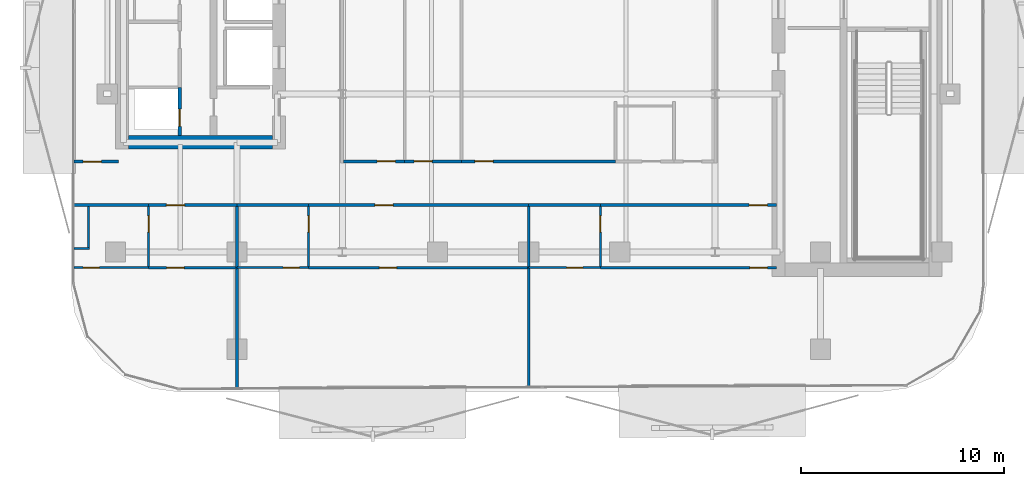
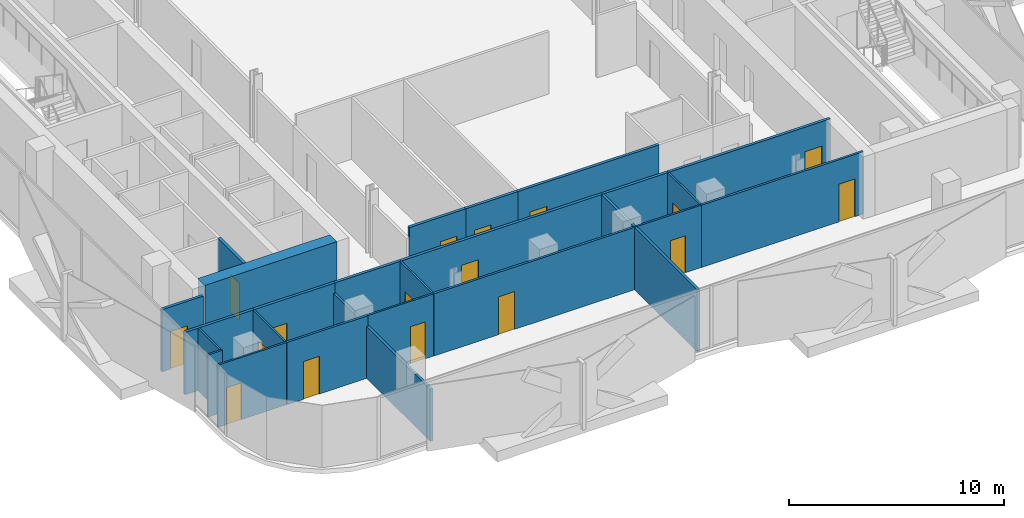
# One storey, part 3 of 17: 27 walls, 17 doors, 17 openings.
"""IFC4 building model written with IfcOpenShell, lengths in metres."""

from ifc_helpers import new_model, si_unit, direction, frame, frame_2d, origin, place, context, subcontext, project, spatial, rectangle, extrude, material, layer, layer_set, type_object, element, fill, save


model = new_model("IFC4")

# Units and contexts
model_context = context("Model", 3, precision=1e-05, world=origin(), true_north=direction((0.0, 1.0)))
body_context = subcontext(model_context, "Body", "Model", "MODEL_VIEW")
ifc_project = project(units=[si_unit("LENGTHUNIT", "METRE"), si_unit("AREAUNIT", "SQUARE_METRE"), si_unit("VOLUMEUNIT", "CUBIC_METRE"), si_unit("PLANEANGLEUNIT", "RADIAN"), si_unit("MASSUNIT", "GRAM", prefix="KILO")], contexts=[model_context])

# Site, building, storey
site_placement = place(None, origin())
site = spatial("IfcSite", under=ifc_project, at=site_placement, CompositionType="ELEMENT")
building_placement = place(site_placement, origin())
building = spatial("IfcBuilding", under=site, at=building_placement, Name="Khairoan Windgate Tower", CompositionType="ELEMENT")
storey_placement = place(building_placement, frame((0.0, 0.0, 165.0)))
storey = spatial("IfcBuildingStorey", under=building, at=storey_placement, Name="L37", CompositionType="ELEMENT", Elevation=165.0)

# Wall, opening, door
ifc_material_1 = material(Name="Moisture-Resistant Gypsum Partition", Category="gypsum")
ifc_layer_1 = layer(ifc_material_1, 0.10009765625, Name="Moisture-Resistant Gypsum Partition")
ifc_layer_set_1 = layer_set([ifc_layer_1], Name="Moisture-Resistant Gypsum Partition")
wall_type_1 = type_object("IfcWallType", Name="Bathroom Wet-Area Partition Wall", PredefinedType="PARTITIONING", material=ifc_layer_set_1)
wall_1_placement = place(storey_placement, frame((-18.763916015625, -19.320068359375, 0.0), z_axis=(0.0, 0.0, 1.0), x_axis=(0.0, 1.0, 0.0)))
wall_1 = element("IfcWall", 1, at=wall_1_placement, inside=storey, type_object=wall_type_1, Name="L37 Interior Partition 073", PredefinedType="PARTITIONING", context=body_context, shape_type="SweptSolid", body=[
    extrude(rectangle(XDim=2.965087890625, YDim=0.10009765625, at=frame_2d((1.482421875, 0.0))), origin(), (0.0, 0.0, 1.0), 3.5400390625),
])
opening_1_placement = place(wall_1_placement, frame((1.705078125, 0.0, 0.0)))
opening_1 = element("IfcOpeningElement", 2, at=opening_1_placement, cuts=wall_1, Name="Opening ID-BTH", PredefinedType="OPENING", context=body_context, shape_type="SweptSolid", body=[
    extrude(rectangle(XDim=0.800048828125, YDim=2.10009765625, at=frame_2d((0.39990234375, 1.050048828125))), frame((0.0, 0.06005859375, 0.0), z_axis=(0.0, -1.0, 0.0), x_axis=(1.0, 0.0, 0.0)), (0.0, 0.0, 1.0), 0.1201171875),
])
ifc_material_2 = material(Name="Teak Veneer Timber Leaf", Category="wood")
door_type_1 = type_object("IfcDoorType", Name="Internal Bathroom Door ID-BTH 800x2100", OperationType="NOTDEFINED", PredefinedType="DOOR", material=ifc_material_2)
door_1_placement = place(opening_1_placement, origin())
door_1 = element("IfcDoor", 3, at=door_1_placement, inside=storey, type_object=door_type_1, Name="L37 L37-53-L37-54 Door", OperationType="SINGLE_SWING_LEFT", OverallHeight=2.10009765625, OverallWidth=0.800048828125, PredefinedType="DOOR", context=body_context, shape_type="SweptSolid", body=[
    extrude(rectangle(XDim=0.800048828125, YDim=2.10009765625, at=frame_2d((0.39990234375, 1.050048828125))), frame((0.0, 0.02490234375, 0.0), z_axis=(0.0, -1.0, 0.0), x_axis=(1.0, 0.0, 0.0)), (0.0, 0.0, 1.0), 0.050048828125),
])
fill(opening_1, door_1)

wall_2_placement = place(storey_placement, frame((-22.455078125, -19.3701171875, 0.0), z_axis=(0.0, 0.0, 1.0), x_axis=(1.0, 0.0, 0.0)))
wall_2 = element("IfcWall", 4, at=wall_2_placement, inside=storey, type_object=wall_type_1, Name="L37 Interior Partition 074", PredefinedType="PARTITIONING", context=body_context, shape_type="SweptSolid", body=[
    extrude(rectangle(XDim=3.691162109375, YDim=0.10009765625, at=frame_2d((1.845703125, 0.0))), origin(), (0.0, 0.0, 1.0), 3.5400390625),
])
opening_2_placement = place(wall_2_placement, frame((0.4599609375, 0.0, 0.0)))
opening_2 = element("IfcOpeningElement", 5, at=opening_2_placement, cuts=wall_2, Name="Opening ID-BTH", PredefinedType="OPENING", context=body_context, shape_type="SweptSolid", body=[
    extrude(rectangle(XDim=0.800048828125, YDim=2.10009765625, at=frame_2d((0.39990234375, 1.050048828125))), frame((0.0, 0.06005859375, 0.0), z_axis=(0.0, -1.0, 0.0), x_axis=(1.0, 0.0, 0.0)), (0.0, 0.0, 1.0), 0.1201171875),
])
door_2_placement = place(opening_2_placement, origin())
door_2 = element("IfcDoor", 6, at=door_2_placement, inside=storey, type_object=door_type_1, Name="L37 L37-53-L37-55 Door", OperationType="SINGLE_SWING_RIGHT", OverallHeight=2.10009765625, OverallWidth=0.800048828125, PredefinedType="DOOR", context=body_context, shape_type="SweptSolid", body=[
    extrude(rectangle(XDim=0.800048828125, YDim=2.10009765625, at=frame_2d((0.39990234375, 1.050048828125))), frame((0.0, 0.02490234375, 0.0), z_axis=(0.0, -1.0, 0.0), x_axis=(1.0, 0.0, 0.0)), (0.0, 0.0, 1.0), 0.050048828125),
])
fill(opening_2, door_2)

wall_3_placement = place(storey_placement, frame((-10.860107421875, -19.320068359375, 0.0), z_axis=(0.0, 0.0, 1.0), x_axis=(0.0, 1.0, 0.0)))
wall_3 = element("IfcWall", 7, at=wall_3_placement, inside=storey, type_object=wall_type_1, Name="L37 Interior Partition 078", PredefinedType="PARTITIONING", context=body_context, shape_type="SweptSolid", body=[
    extrude(rectangle(XDim=2.965087890625, YDim=0.10009765625, at=frame_2d((1.482421875, 0.0))), origin(), (0.0, 0.0, 1.0), 3.5400390625),
])
opening_3_placement = place(wall_3_placement, frame((1.705078125, 0.0, 0.0)))
opening_3 = element("IfcOpeningElement", 8, at=opening_3_placement, cuts=wall_3, Name="Opening ID-BTH", PredefinedType="OPENING", context=body_context, shape_type="SweptSolid", body=[
    extrude(rectangle(XDim=0.800048828125, YDim=2.10009765625, at=frame_2d((0.39990234375, 1.050048828125))), frame((0.0, 0.06005859375, 0.0), z_axis=(0.0, -1.0, 0.0), x_axis=(1.0, 0.0, 0.0)), (0.0, 0.0, 1.0), 0.1201171875),
])
door_3_placement = place(opening_3_placement, origin())
door_3 = element("IfcDoor", 9, at=door_3_placement, inside=storey, type_object=door_type_1, Name="L37 L37-56-L37-57 Door", OperationType="SINGLE_SWING_RIGHT", OverallHeight=2.10009765625, OverallWidth=0.800048828125, PredefinedType="DOOR", context=body_context, shape_type="SweptSolid", body=[
    extrude(rectangle(XDim=0.800048828125, YDim=2.10009765625, at=frame_2d((0.39990234375, 1.050048828125))), frame((0.0, 0.02490234375, 0.0), z_axis=(0.0, -1.0, 0.0), x_axis=(1.0, 0.0, 0.0)), (0.0, 0.0, 1.0), 0.050048828125),
])
fill(opening_3, door_3)

wall_4_placement = place(storey_placement, frame((-14.39990234375, -19.3701171875, 0.0), z_axis=(0.0, 0.0, 1.0), x_axis=(1.0, 0.0, 0.0)))
wall_4 = element("IfcWall", 10, at=wall_4_placement, inside=storey, type_object=wall_type_1, Name="L37 Interior Partition 079", PredefinedType="PARTITIONING", context=body_context, shape_type="SweptSolid", body=[
    extrude(rectangle(XDim=3.539794921875, YDim=0.10009765625, at=frame_2d((1.77001953125, 0.0))), origin(), (0.0, 0.0, 1.0), 3.5400390625),
])
opening_4_placement = place(wall_4_placement, frame((2.280029296875, 0.0, 0.0)))
opening_4 = element("IfcOpeningElement", 11, at=opening_4_placement, cuts=wall_4, Name="Opening ID-BTH", PredefinedType="OPENING", context=body_context, shape_type="SweptSolid", body=[
    extrude(rectangle(XDim=0.800048828125, YDim=2.10009765625, at=frame_2d((0.39990234375, 1.050048828125))), frame((0.0, 0.06005859375, 0.0), z_axis=(0.0, -1.0, 0.0), x_axis=(1.0, 0.0, 0.0)), (0.0, 0.0, 1.0), 0.1201171875),
])
door_4_placement = place(opening_4_placement, origin())
door_4 = element("IfcDoor", 12, at=door_4_placement, inside=storey, type_object=door_type_1, Name="L37 L37-56-L37-58 Door", OperationType="SINGLE_SWING_LEFT", OverallHeight=2.10009765625, OverallWidth=0.800048828125, PredefinedType="DOOR", context=body_context, shape_type="SweptSolid", body=[
    extrude(rectangle(XDim=0.800048828125, YDim=2.10009765625, at=frame_2d((0.39990234375, 1.050048828125))), frame((0.0, 0.02490234375, 0.0), z_axis=(0.0, -1.0, 0.0), x_axis=(1.0, 0.0, 0.0)), (0.0, 0.0, 1.0), 0.050048828125),
])
fill(opening_4, door_4)

wall_5_placement = place(storey_placement, frame((3.5400390625, -19.320068359375, 0.0), z_axis=(0.0, 0.0, 1.0), x_axis=(0.0, 1.0, 0.0)))
wall_5 = element("IfcWall", 13, at=wall_5_placement, inside=storey, type_object=wall_type_1, Name="L37 Interior Partition 083", PredefinedType="PARTITIONING", context=body_context, shape_type="SweptSolid", body=[
    extrude(rectangle(XDim=2.965087890625, YDim=0.10009765625, at=frame_2d((1.482421875, 0.0))), origin(), (0.0, 0.0, 1.0), 3.5400390625),
])
opening_5_placement = place(wall_5_placement, frame((1.705078125, 0.0, 0.0)))
opening_5 = element("IfcOpeningElement", 14, at=opening_5_placement, cuts=wall_5, Name="Opening ID-BTH", PredefinedType="OPENING", context=body_context, shape_type="SweptSolid", body=[
    extrude(rectangle(XDim=0.800048828125, YDim=2.10009765625, at=frame_2d((0.39990234375, 1.050048828125))), frame((0.0, 0.06005859375, 0.0), z_axis=(0.0, -1.0, 0.0), x_axis=(1.0, 0.0, 0.0)), (0.0, 0.0, 1.0), 0.1201171875),
])
door_5_placement = place(opening_5_placement, origin())
door_5 = element("IfcDoor", 15, at=door_5_placement, inside=storey, type_object=door_type_1, Name="L37 L37-59-L37-60 Door", OperationType="SINGLE_SWING_LEFT", OverallHeight=2.10009765625, OverallWidth=0.800048828125, PredefinedType="DOOR", context=body_context, shape_type="SweptSolid", body=[
    extrude(rectangle(XDim=0.800048828125, YDim=2.10009765625, at=frame_2d((0.39990234375, 1.050048828125))), frame((0.0, 0.02490234375, 0.0), z_axis=(0.0, -1.0, 0.0), x_axis=(1.0, 0.0, 0.0)), (0.0, 0.0, 1.0), 0.050048828125),
])
fill(opening_5, door_5)

wall_6_placement = place(storey_placement, frame((0.0, -19.3701171875, 0.0), z_axis=(0.0, 0.0, 1.0), x_axis=(1.0, 0.0, 0.0)))
wall_6 = element("IfcWall", 16, at=wall_6_placement, inside=storey, type_object=wall_type_1, Name="L37 Interior Partition 084", PredefinedType="PARTITIONING", context=body_context, shape_type="SweptSolid", body=[
    extrude(rectangle(XDim=3.5400390625, YDim=0.10009765625, at=frame_2d((1.77001953125, 0.0))), origin(), (0.0, 0.0, 1.0), 3.5400390625),
])
opening_6_placement = place(wall_6_placement, frame((1.87548828125, 0.0, 0.0)))
opening_6 = element("IfcOpeningElement", 17, at=opening_6_placement, cuts=wall_6, Name="Opening ID-BTH", PredefinedType="OPENING", context=body_context, shape_type="SweptSolid", body=[
    extrude(rectangle(XDim=0.800048828125, YDim=2.10009765625, at=frame_2d((0.39990234375, 1.050048828125))), frame((0.0, 0.06005859375, 0.0), z_axis=(0.0, -1.0, 0.0), x_axis=(1.0, 0.0, 0.0)), (0.0, 0.0, 1.0), 0.1201171875),
])
door_6_placement = place(opening_6_placement, origin())
door_6 = element("IfcDoor", 18, at=door_6_placement, inside=storey, type_object=door_type_1, Name="L37 L37-59-L37-61 Door", OperationType="SINGLE_SWING_RIGHT", OverallHeight=2.10009765625, OverallWidth=0.800048828125, PredefinedType="DOOR", context=body_context, shape_type="SweptSolid", body=[
    extrude(rectangle(XDim=0.800048828125, YDim=2.10009765625, at=frame_2d((0.39990234375, 1.050048828125))), frame((0.0, 0.02490234375, 0.0), z_axis=(0.0, -1.0, 0.0), x_axis=(1.0, 0.0, 0.0)), (0.0, 0.0, 1.0), 0.050048828125),
])
fill(opening_6, door_6)

# Walls
wall_7_placement = place(storey_placement, frame((-21.669921875, -18.419921875, 0.0), z_axis=(0.0, 0.0, 1.0), x_axis=(-1.0, 0.0, 0.0)))
element("IfcWall", 19, at=wall_7_placement, inside=storey, type_object=wall_type_1, Name="L37 Wet Room Side Wall 091", PredefinedType="PARTITIONING", context=body_context, shape_type="SweptSolid", body=[
    extrude(rectangle(XDim=0.78515625, YDim=0.10009765625, at=frame_2d((0.392578125, 0.0))), origin(), (0.0, 0.0, 1.0), 3.5400390625),
])
wall_8_placement = place(storey_placement, frame((-21.719970703125, -18.3701171875, 0.0), z_axis=(0.0, 0.0, 1.0), x_axis=(0.0, 1.0, 0.0)))
element("IfcWall", 20, at=wall_8_placement, inside=storey, type_object=wall_type_1, Name="L37 Wet Room Side Wall 092", PredefinedType="PARTITIONING", context=body_context, shape_type="SweptSolid", body=[
    extrude(rectangle(XDim=2.01513671875, YDim=0.10009765625, at=frame_2d((1.007568359375, 0.0))), origin(), (0.0, 0.0, 1.0), 3.5400390625),
])
ifc_material_3 = material(Name="Acoustic Fire-Rated Gypsum Partition", Category="gypsum")
ifc_layer_2 = layer(ifc_material_3, 0.139892578125, Name="Acoustic Fire-Rated Gypsum Partition")
ifc_layer_set_2 = layer_set([ifc_layer_2], Name="Acoustic Fire-Rated Gypsum Partition")
wall_type_2 = type_object("IfcWallType", Name="Inter-Tenancy Compartment Wall", PredefinedType="PARTITIONING", material=ifc_layer_set_2)
wall_9_placement = place(storey_placement, frame((-14.39990234375, -19.3701171875, 0.0), z_axis=(0.0, 0.0, 1.0), x_axis=(0.0, 1.0, 0.0)))
element("IfcWall", 21, at=wall_9_placement, inside=storey, type_object=wall_type_2, Name="L37 Interior Partition 076", PredefinedType="PARTITIONING", context=body_context, shape_type="SweptSolid", body=[
    extrude(rectangle(XDim=3.01513671875, YDim=0.139892578125, at=frame_2d((1.507568359375, 0.0))), origin(), (0.0, 0.0, 1.0), 2.951904296875),
])
wall_10_placement = place(storey_placement, frame((-14.39990234375, -25.3408203125, 0.0), z_axis=(0.0, 0.0, 1.0), x_axis=(0.0, 1.0, 0.0)))
element("IfcWall", 22, at=wall_10_placement, inside=storey, type_object=wall_type_2, Name="L37 Interior Partition 077", PredefinedType="PARTITIONING", context=body_context, shape_type="SweptSolid", body=[
    extrude(rectangle(XDim=5.970703125, YDim=0.139892578125, at=frame_2d((2.9853515625, 0.0))), origin(), (0.0, 0.0, 1.0), 2.951904296875),
])
wall_11_placement = place(storey_placement, frame((0.0, -19.3701171875, 0.0), z_axis=(0.0, 0.0, 1.0), x_axis=(0.0, 1.0, 0.0)))
element("IfcWall", 23, at=wall_11_placement, inside=storey, type_object=wall_type_2, Name="L37 Interior Partition 081", PredefinedType="PARTITIONING", context=body_context, shape_type="SweptSolid", body=[
    extrude(rectangle(XDim=3.01513671875, YDim=0.139892578125, at=frame_2d((1.507568359375, 0.0))), origin(), (0.0, 0.0, 1.0), 3.5400390625),
])
wall_12_placement = place(storey_placement, frame((0.0, -25.269775390625, 0.0), z_axis=(0.0, 0.0, 1.0), x_axis=(0.0, 1.0, 0.0)))
element("IfcWall", 24, at=wall_12_placement, inside=storey, type_object=wall_type_2, Name="L37 Interior Partition 082", PredefinedType="PARTITIONING", context=body_context, shape_type="SweptSolid", body=[
    extrude(rectangle(XDim=5.899658203125, YDim=0.139892578125, at=frame_2d((2.94970703125, 0.0))), origin(), (0.0, 0.0, 1.0), 3.5400390625),
])

# Wall, opening, door
ifc_material_4 = material(Name="Gypsum Stud Partition", Category="gypsum")
ifc_layer_3 = layer(ifc_material_4, 0.1201171875, Name="Gypsum Stud Partition")
ifc_layer_set_3 = layer_set([ifc_layer_3], Name="Gypsum Stud Partition")
wall_type_3 = type_object("IfcWallType", Name="Internal Room Partition Wall", PredefinedType="PARTITIONING", material=ifc_layer_set_3)
wall_13_placement = place(storey_placement, frame((-18.763916015625, -19.3701171875, 0.0), z_axis=(0.0, 0.0, 1.0), x_axis=(1.0, 0.0, 0.0)))
wall_13 = element("IfcWall", 25, at=wall_13_placement, inside=storey, type_object=wall_type_3, Name="L37 Interior Partition 075", PredefinedType="PARTITIONING", context=body_context, shape_type="SweptSolid", body=[
    extrude(rectangle(XDim=4.364013671875, YDim=0.1201171875, at=frame_2d((2.18212890625, 0.0))), origin(), (0.0, 0.0, 1.0), 3.5400390625),
])
opening_7_placement = place(wall_13_placement, frame((0.890625, 0.0, 0.0)))
opening_7 = element("IfcOpeningElement", 26, at=opening_7_placement, cuts=wall_13, Name="Opening ID-RM", PredefinedType="OPENING", context=body_context, shape_type="SweptSolid", body=[
    extrude(rectangle(XDim=0.860107421875, YDim=2.14990234375, at=frame_2d((0.43017578125, 1.074951171875))), frame((0.0, 0.070068359375, 0.0), z_axis=(0.0, -1.0, 0.0), x_axis=(1.0, 0.0, 0.0)), (0.0, 0.0, 1.0), 0.14013671875),
])
ifc_material_5 = material(Name="Teak Veneer Timber Leaf", Category="wood")
door_type_2 = type_object("IfcDoorType", Name="Internal Bedroom and Office Door ID-RM 860x2150", OperationType="NOTDEFINED", PredefinedType="DOOR", material=ifc_material_5)
door_7_placement = place(opening_7_placement, origin())
door_7 = element("IfcDoor", 27, at=door_7_placement, inside=storey, type_object=door_type_2, Name="L37 L37-54-L37-55 Door", OperationType="SINGLE_SWING_LEFT", OverallHeight=2.14990234375, OverallWidth=0.860107421875, PredefinedType="DOOR", context=body_context, shape_type="SweptSolid", body=[
    extrude(rectangle(XDim=0.860107421875, YDim=2.14990234375, at=frame_2d((0.43017578125, 1.074951171875))), frame((0.0, 0.02490234375, 0.0), z_axis=(0.0, -1.0, 0.0), x_axis=(1.0, 0.0, 0.0)), (0.0, 0.0, 1.0), 0.050048828125),
])
fill(opening_7, door_7)

wall_14_placement = place(storey_placement, frame((-10.860107421875, -19.3701171875, 0.0), z_axis=(0.0, 0.0, 1.0), x_axis=(1.0, 0.0, 0.0)))
wall_14 = element("IfcWall", 28, at=wall_14_placement, inside=storey, type_object=wall_type_3, Name="L37 Interior Partition 080", PredefinedType="PARTITIONING", context=body_context, shape_type="SweptSolid", body=[
    extrude(rectangle(XDim=10.860107421875, YDim=0.1201171875, at=frame_2d((5.43017578125, 0.0))), origin(), (0.0, 0.0, 1.0), 3.5400390625),
])
opening_8_placement = place(wall_14_placement, frame((3.48681640625, 0.0, 0.0)))
opening_8 = element("IfcOpeningElement", 29, at=opening_8_placement, cuts=wall_14, Name="Opening ID-RM", PredefinedType="OPENING", context=body_context, shape_type="SweptSolid", body=[
    extrude(rectangle(XDim=0.860107421875, YDim=2.14990234375, at=frame_2d((0.43017578125, 1.074951171875))), frame((0.0, 0.070068359375, 0.0), z_axis=(0.0, -1.0, 0.0), x_axis=(1.0, 0.0, 0.0)), (0.0, 0.0, 1.0), 0.14013671875),
])
door_8_placement = place(opening_8_placement, origin())
door_8 = element("IfcDoor", 30, at=door_8_placement, inside=storey, type_object=door_type_2, Name="L37 L37-57-L37-58 Door", OperationType="SINGLE_SWING_RIGHT", OverallHeight=2.14990234375, OverallWidth=0.860107421875, PredefinedType="DOOR", context=body_context, shape_type="SweptSolid", body=[
    extrude(rectangle(XDim=0.860107421875, YDim=2.14990234375, at=frame_2d((0.43017578125, 1.074951171875))), frame((0.0, 0.02490234375, 0.0), z_axis=(0.0, -1.0, 0.0), x_axis=(1.0, 0.0, 0.0)), (0.0, 0.0, 1.0), 0.050048828125),
])
fill(opening_8, door_8)

wall_15_placement = place(storey_placement, frame((3.5400390625, -19.3701171875, 0.0), z_axis=(0.0, 0.0, 1.0), x_axis=(1.0, 0.0, 0.0)))
wall_15 = element("IfcWall", 31, at=wall_15_placement, inside=storey, type_object=wall_type_3, Name="L37 Interior Partition 085", PredefinedType="PARTITIONING", context=body_context, shape_type="SweptSolid", body=[
    extrude(rectangle(XDim=8.699951171875, YDim=0.1201171875, at=frame_2d((4.35009765625, 0.0))), origin(), (0.0, 0.0, 1.0), 3.5400390625),
])
opening_9_placement = place(wall_15_placement, frame((7.3798828125, 0.0, 0.0)))
opening_9 = element("IfcOpeningElement", 32, at=opening_9_placement, cuts=wall_15, Name="Opening ID-RM", PredefinedType="OPENING", context=body_context, shape_type="SweptSolid", body=[
    extrude(rectangle(XDim=0.860107421875, YDim=2.14990234375, at=frame_2d((0.43017578125, 1.074951171875))), frame((0.0, 0.070068359375, 0.0), z_axis=(0.0, -1.0, 0.0), x_axis=(1.0, 0.0, 0.0)), (0.0, 0.0, 1.0), 0.14013671875),
])
door_9_placement = place(opening_9_placement, origin())
door_9 = element("IfcDoor", 33, at=door_9_placement, inside=storey, type_object=door_type_2, Name="L37 L37-60-L37-61 Door", OperationType="SINGLE_SWING_LEFT", OverallHeight=2.14990234375, OverallWidth=0.860107421875, PredefinedType="DOOR", context=body_context, shape_type="SweptSolid", body=[
    extrude(rectangle(XDim=0.860107421875, YDim=2.14990234375, at=frame_2d((0.43017578125, 1.074951171875))), frame((0.0, 0.02490234375, 0.0), z_axis=(0.0, -1.0, 0.0), x_axis=(1.0, 0.0, 0.0)), (0.0, 0.0, 1.0), 0.050048828125),
])
fill(opening_9, door_9)

ifc_material_6 = material(Name="Concrete C40/50", Category="concrete")
ifc_layer_4 = layer(ifc_material_6, 0.159912109375, Name="Concrete C40/50")
ifc_layer_set_4 = layer_set([ifc_layer_4], Name="Concrete C40/50")
wall_type_4 = type_object("IfcWallType", Name="Plant and Refuge Compartment Wall", PredefinedType="PARTITIONING", material=ifc_layer_set_4)
wall_16_placement = place(storey_placement, frame((-17.22998046875, -12.85009765625, 0.0), z_axis=(0.0, 0.0, 1.0), x_axis=(0.0, 1.0, 0.0)))
wall_16 = element("IfcWall", 34, at=wall_16_placement, inside=storey, type_object=wall_type_4, Name="L37 Interior Partition 001", PredefinedType="PARTITIONING", context=body_context, shape_type="SweptSolid", body=[
    extrude(rectangle(XDim=2.380126953125, YDim=0.159912109375, at=frame_2d((1.18994140625, 0.0))), origin(), (0.0, 0.0, 1.0), 3.5400390625),
])
opening_10_placement = place(wall_16_placement, frame((0.4599609375, 0.0, 0.0)))
opening_10 = element("IfcOpeningElement", 35, at=opening_10_placement, cuts=wall_16, Name="Opening FD-SRV", PredefinedType="OPENING", context=body_context, shape_type="SweptSolid", body=[
    extrude(rectangle(XDim=0.85009765625, YDim=2.10009765625, at=frame_2d((0.425048828125, 1.050048828125))), frame((0.0, 0.08984375, 0.0), z_axis=(0.0, -1.0, 0.0), x_axis=(1.0, 0.0, 0.0)), (0.0, 0.0, 1.0), 0.179931640625),
])
ifc_material_7 = material(Name="Steel S355", Category="steel")
door_type_3 = type_object("IfcDoorType", Name="Core Service and Riser Fire Door FD-SRV 850x2100", OperationType="NOTDEFINED", PredefinedType="DOOR", material=ifc_material_7)
door_10_placement = place(opening_10_placement, origin())
door_10 = element("IfcDoor", 36, at=door_10_placement, inside=storey, type_object=door_type_3, Name="L37 L37-04-L37-05 Door", OperationType="SINGLE_SWING_RIGHT", OverallHeight=2.10009765625, OverallWidth=0.85009765625, PredefinedType="DOOR", context=body_context, shape_type="SweptSolid", body=[
    extrude(rectangle(XDim=0.85009765625, YDim=2.10009765625, at=frame_2d((0.425048828125, 1.050048828125))), frame((0.0, 0.02490234375, 0.0), z_axis=(0.0, -1.0, 0.0), x_axis=(1.0, 0.0, 0.0)), (0.0, 0.0, 1.0), 0.050048828125),
])
fill(opening_10, door_10)

ifc_material_8 = material(Name="Acoustic Fire-Rated Gypsum Partition", Category="gypsum")
ifc_layer_5 = layer(ifc_material_8, 0.14990234375, Name="Acoustic Fire-Rated Gypsum Partition")
ifc_layer_set_5 = layer_set([ifc_layer_5], Name="Acoustic Fire-Rated Gypsum Partition")
wall_type_5 = type_object("IfcWallType", Name="Rated Corridor Partition Wall", PredefinedType="PARTITIONING", material=ifc_layer_set_5)
wall_17_placement = place(storey_placement, frame((-9.14501953125, -14.1201171875, 0.0), z_axis=(0.0, 0.0, 1.0), x_axis=(1.0, 0.0, 0.0)))
wall_17 = element("IfcWall", 37, at=wall_17_placement, inside=storey, type_object=wall_type_5, Name="L37 Interior Partition 030", PredefinedType="PARTITIONING", context=body_context, shape_type="SweptSolid", body=[
    extrude(rectangle(XDim=3.02490234375, YDim=0.14990234375, at=frame_2d((1.512451171875, 0.0))), origin(), (0.0, 0.0, 1.0), 3.5400390625),
])
opening_11_placement = place(wall_17_placement, frame((1.6650390625, 0.0, 0.0)))
opening_11 = element("IfcOpeningElement", 38, at=opening_11_placement, cuts=wall_17, Name="Opening FD-ENT", PredefinedType="OPENING", context=body_context, shape_type="SweptSolid", body=[
    extrude(rectangle(XDim=0.89990234375, YDim=2.14990234375, at=frame_2d((0.449951171875, 1.074951171875))), frame((0.0, 0.0849609375, 0.0), z_axis=(0.0, -1.0, 0.0), x_axis=(1.0, 0.0, 0.0)), (0.0, 0.0, 1.0), 0.169921875),
])
ifc_material_9 = material(Name="Timber Fire-Rated Core", Category="wood")
door_type_4 = type_object("IfcDoorType", Name="Unit and Office Fire Entrance Door FD-ENT 900x2150", OperationType="NOTDEFINED", PredefinedType="DOOR", material=ifc_material_9)
door_11_placement = place(opening_11_placement, origin())
door_11 = element("IfcDoor", 39, at=door_11_placement, inside=storey, type_object=door_type_4, Name="L37 L37-31-L37-32 Door", OperationType="SINGLE_SWING_LEFT", OverallHeight=2.14990234375, OverallWidth=0.89990234375, PredefinedType="DOOR", context=body_context, shape_type="SweptSolid", body=[
    extrude(rectangle(XDim=0.89990234375, YDim=2.14990234375, at=frame_2d((0.449951171875, 1.074951171875))), frame((0.0, 0.02490234375, 0.0), z_axis=(0.0, -1.0, 0.0), x_axis=(1.0, 0.0, 0.0)), (0.0, 0.0, 1.0), 0.050048828125),
])
fill(opening_11, door_11)

wall_18_placement = place(storey_placement, frame((-6.1201171875, -14.1201171875, 0.0), z_axis=(0.0, 0.0, 1.0), x_axis=(1.0, 0.0, 0.0)))
wall_18 = element("IfcWall", 40, at=wall_18_placement, inside=storey, type_object=wall_type_5, Name="L37 Interior Partition 031", PredefinedType="PARTITIONING", context=body_context, shape_type="SweptSolid", body=[
    extrude(rectangle(XDim=2.800048828125, YDim=0.14990234375, at=frame_2d((1.39990234375, 0.0))), origin(), (0.0, 0.0, 1.0), 3.5400390625),
])
opening_12_placement = place(wall_18_placement, frame((0.4599609375, 0.0, 0.0)))
opening_12 = element("IfcOpeningElement", 41, at=opening_12_placement, cuts=wall_18, Name="Opening FD-ENT", PredefinedType="OPENING", context=body_context, shape_type="SweptSolid", body=[
    extrude(rectangle(XDim=0.89990234375, YDim=2.14990234375, at=frame_2d((0.449951171875, 1.074951171875))), frame((0.0, 0.0849609375, 0.0), z_axis=(0.0, -1.0, 0.0), x_axis=(1.0, 0.0, 0.0)), (0.0, 0.0, 1.0), 0.169921875),
])
door_12_placement = place(opening_12_placement, origin())
door_12 = element("IfcDoor", 42, at=door_12_placement, inside=storey, type_object=door_type_4, Name="L37 L37-31-L37-33 Door", OperationType="SINGLE_SWING_RIGHT", OverallHeight=2.14990234375, OverallWidth=0.89990234375, PredefinedType="DOOR", context=body_context, shape_type="SweptSolid", body=[
    extrude(rectangle(XDim=0.89990234375, YDim=2.14990234375, at=frame_2d((0.449951171875, 1.074951171875))), frame((0.0, 0.02490234375, 0.0), z_axis=(0.0, -1.0, 0.0), x_axis=(1.0, 0.0, 0.0)), (0.0, 0.0, 1.0), 0.050048828125),
])
fill(opening_12, door_12)

wall_19_placement = place(storey_placement, frame((-3.320068359375, -14.1201171875, 0.0), z_axis=(0.0, 0.0, 1.0), x_axis=(1.0, 0.0, 0.0)))
wall_19 = element("IfcWall", 43, at=wall_19_placement, inside=storey, type_object=wall_type_5, Name="L37 Interior Partition 032", PredefinedType="PARTITIONING", context=body_context, shape_type="SweptSolid", body=[
    extrude(rectangle(XDim=7.60009765625, YDim=0.14990234375, at=frame_2d((3.800048828125, 0.0))), origin(), (0.0, 0.0, 1.0), 3.5400390625),
])
opening_13_placement = place(wall_19_placement, frame((0.66650390625, 0.0, 0.0)))
opening_13 = element("IfcOpeningElement", 44, at=opening_13_placement, cuts=wall_19, Name="Opening FD-ENT", PredefinedType="OPENING", context=body_context, shape_type="SweptSolid", body=[
    extrude(rectangle(XDim=0.89990234375, YDim=2.14990234375, at=frame_2d((0.449951171875, 1.074951171875))), frame((0.0, 0.0849609375, 0.0), z_axis=(0.0, -1.0, 0.0), x_axis=(1.0, 0.0, 0.0)), (0.0, 0.0, 1.0), 0.169921875),
])
door_13_placement = place(opening_13_placement, origin())
door_13 = element("IfcDoor", 45, at=door_13_placement, inside=storey, type_object=door_type_4, Name="L37 L37-31-L37-34 Door", OperationType="SINGLE_SWING_LEFT", OverallHeight=2.14990234375, OverallWidth=0.89990234375, PredefinedType="DOOR", context=body_context, shape_type="SweptSolid", body=[
    extrude(rectangle(XDim=0.89990234375, YDim=2.14990234375, at=frame_2d((0.449951171875, 1.074951171875))), frame((0.0, 0.02490234375, 0.0), z_axis=(0.0, -1.0, 0.0), x_axis=(1.0, 0.0, 0.0)), (0.0, 0.0, 1.0), 0.050048828125),
])
fill(opening_13, door_13)

# Wall
wall_20_placement = place(storey_placement, frame((-22.455078125, -16.280029296875, 0.0), z_axis=(0.0, 0.0, 1.0), x_axis=(1.0, 0.0, 0.0)))
element("IfcWall", 46, at=wall_20_placement, inside=storey, type_object=wall_type_5, Name="L37 Interior Partition 035", PredefinedType="PARTITIONING", context=body_context, shape_type="SweptSolid", body=[
    extrude(rectangle(XDim=3.691162109375, YDim=0.14990234375, at=frame_2d((1.845703125, 0.0))), origin(), (0.0, 0.0, 1.0), 3.5400390625),
])

# Wall, opening, door
wall_21_placement = place(storey_placement, frame((-18.763916015625, -16.280029296875, 0.0), z_axis=(0.0, 0.0, 1.0), x_axis=(1.0, 0.0, 0.0)))
wall_21 = element("IfcWall", 47, at=wall_21_placement, inside=storey, type_object=wall_type_5, Name="L37 Interior Partition 036", PredefinedType="PARTITIONING", context=body_context, shape_type="SweptSolid", body=[
    extrude(rectangle(XDim=4.364013671875, YDim=0.14990234375, at=frame_2d((2.18212890625, 0.0))), origin(), (0.0, 0.0, 1.0), 3.5400390625),
])
opening_14_placement = place(wall_21_placement, frame((0.884033203125, 0.0, 0.0)))
opening_14 = element("IfcOpeningElement", 48, at=opening_14_placement, cuts=wall_21, Name="Opening FD-ENT", PredefinedType="OPENING", context=body_context, shape_type="SweptSolid", body=[
    extrude(rectangle(XDim=0.89990234375, YDim=2.14990234375, at=frame_2d((0.449951171875, 1.074951171875))), frame((0.0, 0.0849609375, 0.0), z_axis=(0.0, -1.0, 0.0), x_axis=(1.0, 0.0, 0.0)), (0.0, 0.0, 1.0), 0.169921875),
])
door_14_placement = place(opening_14_placement, origin())
door_14 = element("IfcDoor", 49, at=door_14_placement, inside=storey, type_object=door_type_4, Name="L37 L37-31-L37-54 Door", OperationType="SINGLE_SWING_RIGHT", OverallHeight=2.14990234375, OverallWidth=0.89990234375, PredefinedType="DOOR", context=body_context, shape_type="SweptSolid", body=[
    extrude(rectangle(XDim=0.89990234375, YDim=2.14990234375, at=frame_2d((0.449951171875, 1.074951171875))), frame((0.0, 0.02490234375, 0.0), z_axis=(0.0, -1.0, 0.0), x_axis=(1.0, 0.0, 0.0)), (0.0, 0.0, 1.0), 0.050048828125),
])
fill(opening_14, door_14)

# Wall
wall_22_placement = place(storey_placement, frame((-14.39990234375, -16.280029296875, 0.0), z_axis=(0.0, 0.0, 1.0), x_axis=(1.0, 0.0, 0.0)))
element("IfcWall", 50, at=wall_22_placement, inside=storey, type_object=wall_type_5, Name="L37 Interior Partition 037", PredefinedType="PARTITIONING", context=body_context, shape_type="SweptSolid", body=[
    extrude(rectangle(XDim=3.539794921875, YDim=0.14990234375, at=frame_2d((1.77001953125, 0.0))), origin(), (0.0, 0.0, 1.0), 3.5400390625),
])

# Wall, opening, door
wall_23_placement = place(storey_placement, frame((-10.860107421875, -16.280029296875, 0.0), z_axis=(0.0, 0.0, 1.0), x_axis=(1.0, 0.0, 0.0)))
wall_23 = element("IfcWall", 51, at=wall_23_placement, inside=storey, type_object=wall_type_5, Name="L37 Interior Partition 038", PredefinedType="PARTITIONING", context=body_context, shape_type="SweptSolid", body=[
    extrude(rectangle(XDim=10.860107421875, YDim=0.14990234375, at=frame_2d((5.43017578125, 0.0))), origin(), (0.0, 0.0, 1.0), 3.5400390625),
])
opening_15_placement = place(wall_23_placement, frame((3.2724609375, 0.0, 0.0)))
opening_15 = element("IfcOpeningElement", 52, at=opening_15_placement, cuts=wall_23, Name="Opening FD-ENT", PredefinedType="OPENING", context=body_context, shape_type="SweptSolid", body=[
    extrude(rectangle(XDim=0.89990234375, YDim=2.14990234375, at=frame_2d((0.449951171875, 1.074951171875))), frame((0.0, 0.0849609375, 0.0), z_axis=(0.0, -1.0, 0.0), x_axis=(1.0, 0.0, 0.0)), (0.0, 0.0, 1.0), 0.169921875),
])
door_15_placement = place(opening_15_placement, origin())
door_15 = element("IfcDoor", 53, at=door_15_placement, inside=storey, type_object=door_type_4, Name="L37 L37-31-L37-57 Door", OperationType="SINGLE_SWING_LEFT", OverallHeight=2.14990234375, OverallWidth=0.89990234375, PredefinedType="DOOR", context=body_context, shape_type="SweptSolid", body=[
    extrude(rectangle(XDim=0.89990234375, YDim=2.14990234375, at=frame_2d((0.449951171875, 1.074951171875))), frame((0.0, 0.02490234375, 0.0), z_axis=(0.0, -1.0, 0.0), x_axis=(1.0, 0.0, 0.0)), (0.0, 0.0, 1.0), 0.050048828125),
])
fill(opening_15, door_15)

# Wall
wall_24_placement = place(storey_placement, frame((0.0, -16.280029296875, 0.0), z_axis=(0.0, 0.0, 1.0), x_axis=(1.0, 0.0, 0.0)))
element("IfcWall", 54, at=wall_24_placement, inside=storey, type_object=wall_type_5, Name="L37 Interior Partition 039", PredefinedType="PARTITIONING", context=body_context, shape_type="SweptSolid", body=[
    extrude(rectangle(XDim=3.5400390625, YDim=0.14990234375, at=frame_2d((1.77001953125, 0.0))), origin(), (0.0, 0.0, 1.0), 3.5400390625),
])

# Wall, opening, door
wall_25_placement = place(storey_placement, frame((3.5400390625, -16.280029296875, 0.0), z_axis=(0.0, 0.0, 1.0), x_axis=(1.0, 0.0, 0.0)))
wall_25 = element("IfcWall", 55, at=wall_25_placement, inside=storey, type_object=wall_type_5, Name="L37 Interior Partition 040", PredefinedType="PARTITIONING", context=body_context, shape_type="SweptSolid", body=[
    extrude(rectangle(XDim=8.699951171875, YDim=0.14990234375, at=frame_2d((4.35009765625, 0.0))), origin(), (0.0, 0.0, 1.0), 3.5400390625),
])
opening_16_placement = place(wall_25_placement, frame((7.340087890625, 0.0, 0.0)))
opening_16 = element("IfcOpeningElement", 56, at=opening_16_placement, cuts=wall_25, Name="Opening FD-ENT", PredefinedType="OPENING", context=body_context, shape_type="SweptSolid", body=[
    extrude(rectangle(XDim=0.89990234375, YDim=2.14990234375, at=frame_2d((0.449951171875, 1.074951171875))), frame((0.0, 0.0849609375, 0.0), z_axis=(0.0, -1.0, 0.0), x_axis=(1.0, 0.0, 0.0)), (0.0, 0.0, 1.0), 0.169921875),
])
door_16_placement = place(opening_16_placement, origin())
door_16 = element("IfcDoor", 57, at=door_16_placement, inside=storey, type_object=door_type_4, Name="L37 L37-31-L37-60 Door", OperationType="SINGLE_SWING_RIGHT", OverallHeight=2.14990234375, OverallWidth=0.89990234375, PredefinedType="DOOR", context=body_context, shape_type="SweptSolid", body=[
    extrude(rectangle(XDim=0.89990234375, YDim=2.14990234375, at=frame_2d((0.449951171875, 1.074951171875))), frame((0.0, 0.02490234375, 0.0), z_axis=(0.0, -1.0, 0.0), x_axis=(1.0, 0.0, 0.0)), (0.0, 0.0, 1.0), 0.050048828125),
])
fill(opening_16, door_16)

wall_26_placement = place(storey_placement, frame((-22.455078125, -14.139892578125, 0.0), z_axis=(0.0, 0.0, 1.0), x_axis=(1.0, 0.0, 0.0)))
wall_26 = element("IfcWall", 58, at=wall_26_placement, inside=storey, type_object=wall_type_5, Name="L37 Interior Partition 041", PredefinedType="PARTITIONING", context=body_context, shape_type="SweptSolid", body=[
    extrude(rectangle(XDim=2.215087890625, YDim=0.14990234375, at=frame_2d((1.107421875, 0.0))), origin(), (0.0, 0.0, 1.0), 3.5400390625),
])
opening_17_placement = place(wall_26_placement, frame((0.4599609375, 0.0, 0.0)))
opening_17 = element("IfcOpeningElement", 59, at=opening_17_placement, cuts=wall_26, Name="Opening FD-ENT", PredefinedType="OPENING", context=body_context, shape_type="SweptSolid", body=[
    extrude(rectangle(XDim=0.89990234375, YDim=2.14990234375, at=frame_2d((0.449951171875, 1.074951171875))), frame((0.0, 0.0849609375, 0.0), z_axis=(0.0, -1.0, 0.0), x_axis=(1.0, 0.0, 0.0)), (0.0, 0.0, 1.0), 0.169921875),
])
door_17_placement = place(opening_17_placement, origin())
door_17 = element("IfcDoor", 60, at=door_17_placement, inside=storey, type_object=door_type_4, Name="L37 L37-31-L37-63 Door", OperationType="SINGLE_SWING_LEFT", OverallHeight=2.14990234375, OverallWidth=0.89990234375, PredefinedType="DOOR", context=body_context, shape_type="SweptSolid", body=[
    extrude(rectangle(XDim=0.89990234375, YDim=2.14990234375, at=frame_2d((0.449951171875, 1.074951171875))), frame((0.0, 0.02490234375, 0.0), z_axis=(0.0, -1.0, 0.0), x_axis=(1.0, 0.0, 0.0)), (0.0, 0.0, 1.0), 0.050048828125),
])
fill(opening_17, door_17)

# Wall
ifc_material_10 = material(Name="Concrete C60/75", Category="concrete")
ifc_layer_6 = layer(ifc_material_10, 0.64990234375, Name="Concrete C60/75")
ifc_layer_set_6 = layer_set([ifc_layer_6], Name="Concrete C60/75")
wall_type_6 = type_object("IfcWallType", Name="Shear Wall CW-W2 650mm", PredefinedType="SHEAR", material=ifc_layer_set_6)
wall_27_placement = place(storey_placement, frame((-19.75, -13.175048828125, 0.0), z_axis=(0.0, 0.0, 1.0), x_axis=(1.0, 0.0, 0.0)))
element("IfcWall", 61, at=wall_27_placement, inside=storey, type_object=wall_type_6, Name="W Core South Shear Wall L37", PredefinedType="SHEAR", context=body_context, shape_type="SweptSolid", body=[
    extrude(rectangle(XDim=7.10009765625, YDim=0.64990234375, at=frame_2d((3.550048828125, 0.0))), origin(), (0.0, 0.0, 1.0), 3.5400390625),
])

save(model, "model.ifc")
